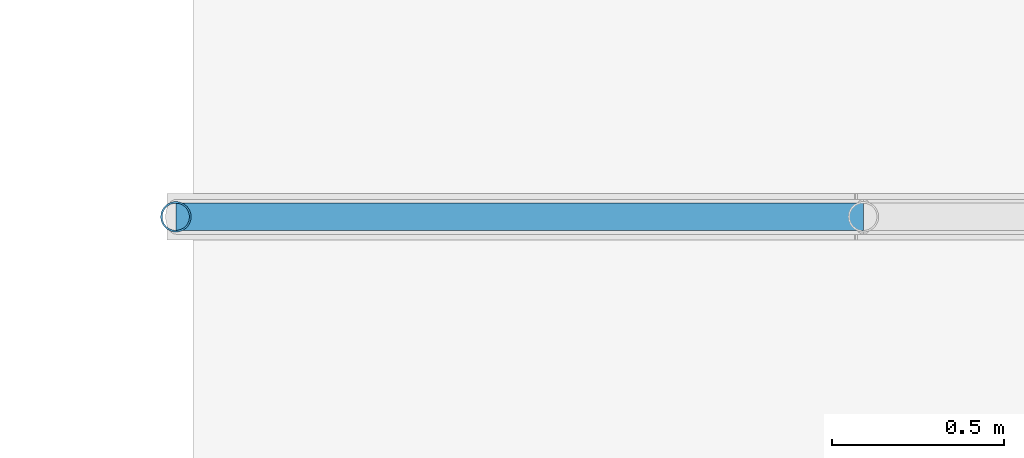
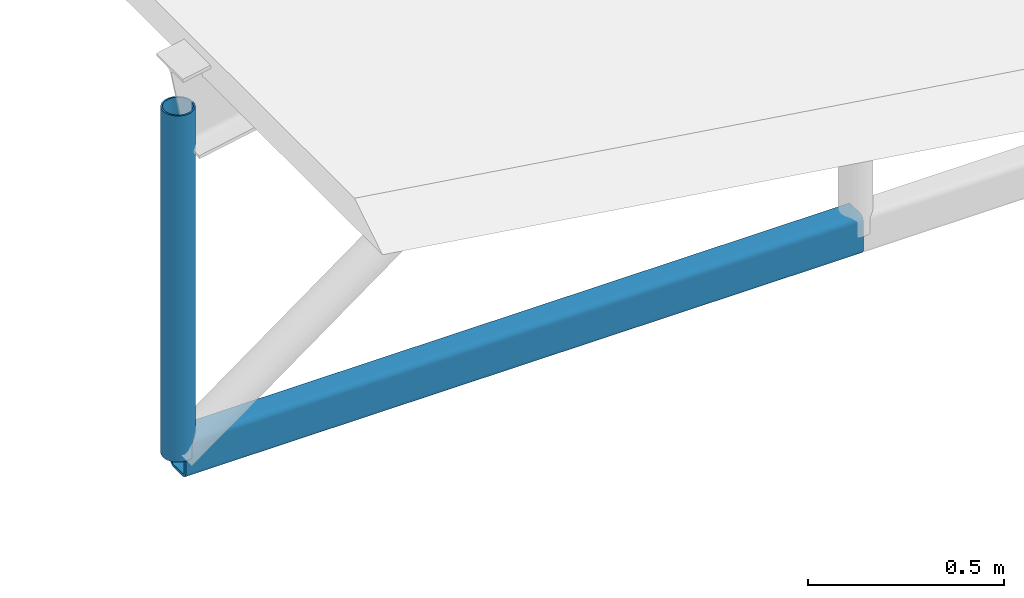
# One storey, part 12 of 54: 2 members.
"""IFC4 building model written with IfcOpenShell, lengths in metres."""

from ifc_helpers import new_model, si_unit, derived_unit, direction, frame, origin, origin_2d, place, context, subcontext, project, spatial, hollow_rectangle, hollow_circle, extrude, material, material_profile, profile_set, type_object, element, save


model = new_model("IFC4")

# Units and contexts
model_context = context("Model", 3, precision=1e-05, world=origin(), true_north=direction((0.0, 1.0)))
body_context = subcontext(model_context, "Body", "Model", "MODEL_VIEW")
ifc_project = project(units=[si_unit("LENGTHUNIT", "METRE"), si_unit("AREAUNIT", "SQUARE_METRE"), si_unit("VOLUMEUNIT", "CUBIC_METRE"), si_unit("PLANEANGLEUNIT", "RADIAN"), si_unit("MASSUNIT", "GRAM", prefix="KILO"), derived_unit("THERMALTRANSMITTANCEUNIT", [(si_unit("POWERUNIT", "WATT"), 1), (si_unit("LENGTHUNIT", "METRE"), -2), (si_unit("THERMODYNAMICTEMPERATUREUNIT", "KELVIN"), -1)])], contexts=[model_context])

# Site, building, storey
site_placement = place(None, origin())
site = spatial("IfcSite", under=ifc_project, at=site_placement, CompositionType="ELEMENT")
building_placement = place(site_placement, origin())
building = spatial("IfcBuilding", under=site, at=building_placement, Name="Keldorne Ridge Multi-Sports Centre", CompositionType="ELEMENT")
storey_placement = place(building_placement, frame((0.0, 0.0, 22.199951171875)))
storey = spatial("IfcBuildingStorey", under=building, at=storey_placement, Name="ROOF", CompositionType="ELEMENT", Elevation=22.199951171875)

# Members
ifc_material = material(Name="Steel S355", Category="steel")
ifc_material_profile_1 = material_profile(ifc_material, hollow_rectangle(XDim=0.080078125, YDim=0.1201171875, WallThickness=0.008056640625, InnerFilletRadius=0.008056640625, OuterFilletRadius=0.01611328125, at=origin_2d()), Name="RHS 120x80x8")
ifc_profile_set_1 = profile_set([ifc_material_profile_1], Name="Steel S355")
member_type_1 = type_object("IfcMemberType", Name="MEM-TC-07", PredefinedType="CHORD", material=ifc_profile_set_1)
member_1_placement = place(storey_placement, frame((84.0, 30.0, -13.719970703125), z_axis=(1.0, 0.0, 0.0), x_axis=(0.0, 1.0, 0.0)))
element("IfcMember", 1, at=member_1_placement, inside=storey, type_object=member_type_1, Name="Public Passage bowstring tie chord 04.1", PredefinedType="CHORD", context=body_context, shape_type="SweptSolid", body=[
    extrude(hollow_rectangle(XDim=0.080078125, YDim=0.1201171875, WallThickness=0.008056640625, InnerFilletRadius=0.008056640625, OuterFilletRadius=0.01611328125, at=origin_2d()), origin(), (0.0, 0.0, 1.0), 2.0),
])
ifc_material_profile_2 = material_profile(ifc_material, hollow_circle(Radius=0.04443359375, WallThickness=0.0048828125, at=origin_2d()), Name="CHS 88.9x5")
ifc_profile_set_2 = profile_set([ifc_material_profile_2], Name="Steel S355")
member_type_2 = type_object("IfcMemberType", Name="MEM-TV-07", PredefinedType="STRUT", material=ifc_profile_set_2)
member_2_placement = place(storey_placement, frame((84.0, 30.0, -13.719970703125), z_axis=(0.0, 0.0, 1.0), x_axis=(1.0, 0.0, 0.0)))
element("IfcMember", 2, at=member_2_placement, inside=storey, type_object=member_type_2, Name="Public Passage bowstring hanger 04.1", PredefinedType="STRUT", context=body_context, shape_type="SweptSolid", body=[
    extrude(hollow_circle(Radius=0.04443359375, WallThickness=0.0048828125, at=origin_2d()), origin(), (0.0, 0.0, 1.0), 1.080078125),
])

save(model, "model.ifc")
